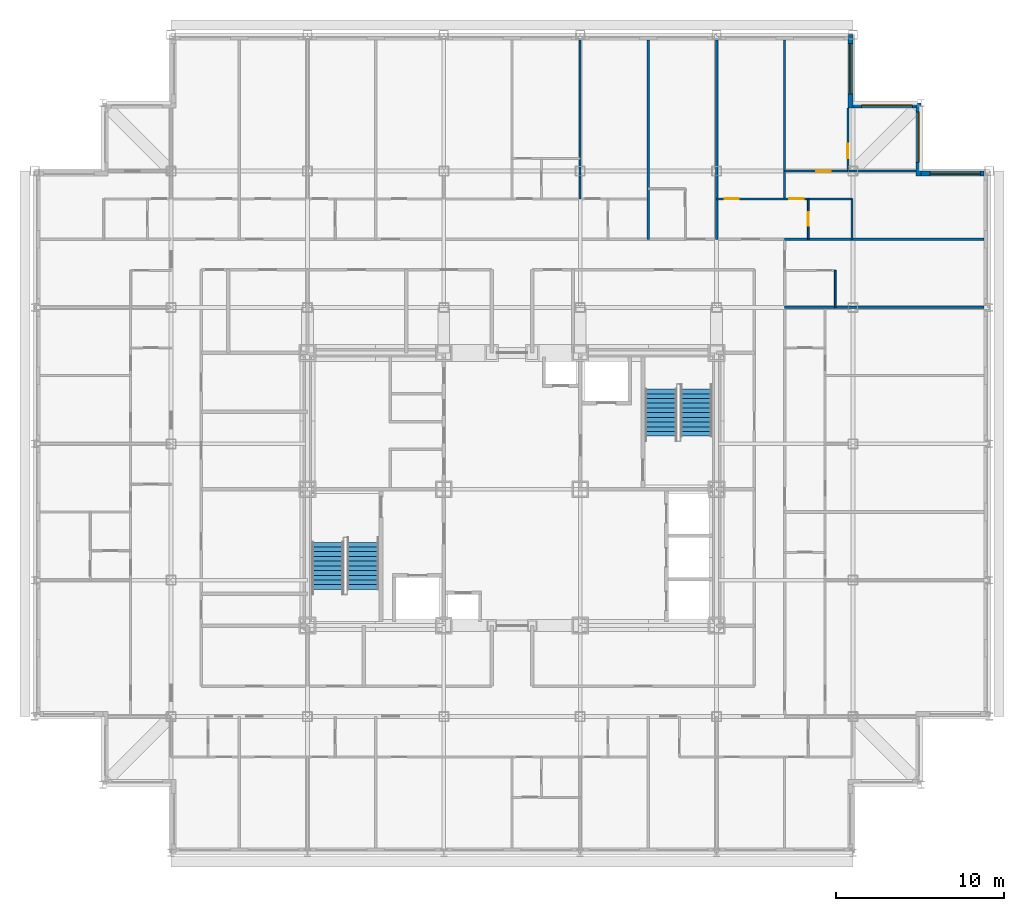
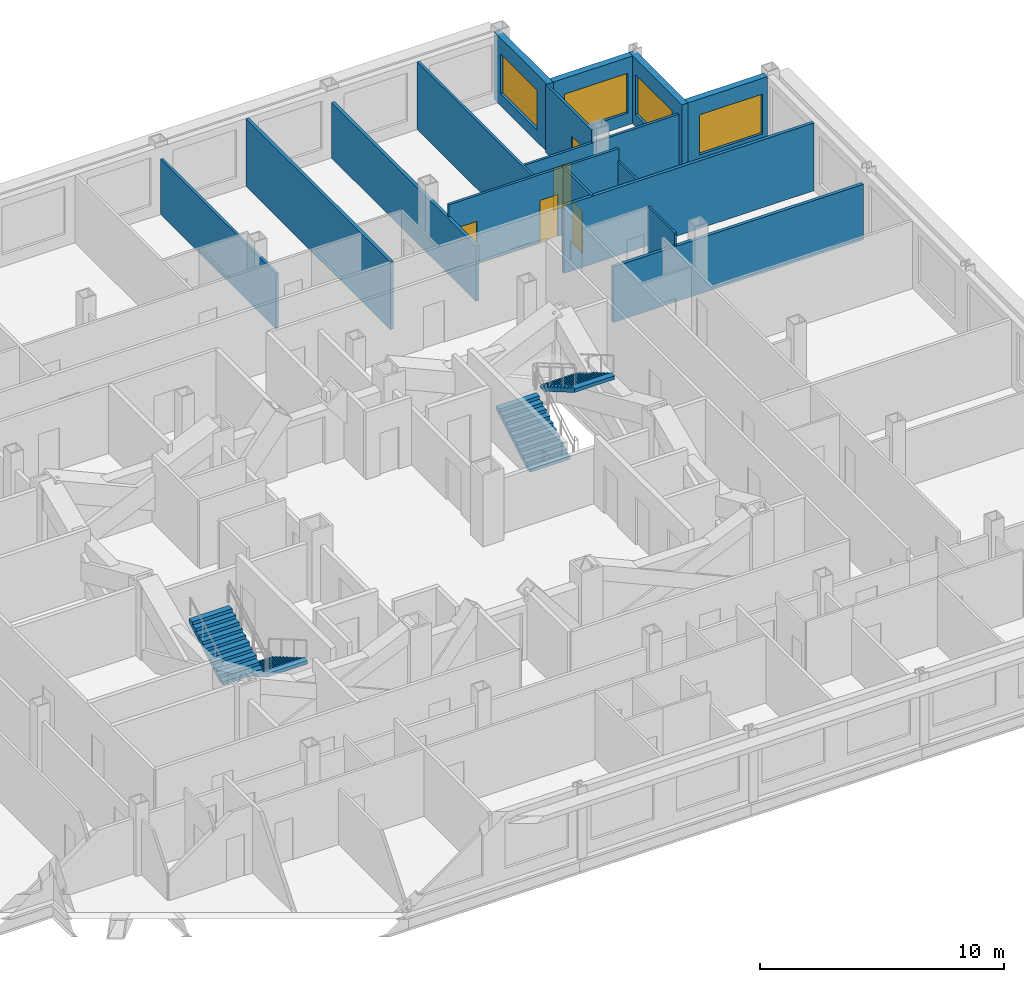
# One storey, part 11 of 12: 16 walls, 5 doors, 4 stair flights, 4 windows, 9 openings, 2 elements without a shape of their own.
"""IFC4 building model written with IfcOpenShell, lengths in metres."""

from ifc_helpers import new_model, si_unit, direction, frame, frame_2d, origin, place, context, subcontext, project, spatial, rectangle, extrude, polygons, source, transform, mapped, material, layer, layer_set, type_object, element, fill, aggregate, save


model = new_model("IFC4")

# Units and contexts
model_context = context("Model", 3, precision=1e-05, world=origin(), true_north=direction((0.0, 1.0)))
body_context = subcontext(model_context, "Body", "Model", "MODEL_VIEW")
ifc_project = project(units=[si_unit("LENGTHUNIT", "METRE"), si_unit("AREAUNIT", "SQUARE_METRE"), si_unit("VOLUMEUNIT", "CUBIC_METRE"), si_unit("PLANEANGLEUNIT", "RADIAN"), si_unit("MASSUNIT", "GRAM", prefix="KILO")], contexts=[model_context])

# Site, building, storey
site_placement = place(None, origin())
site = spatial("IfcSite", under=ifc_project, at=site_placement, CompositionType="ELEMENT")
building_placement = place(site_placement, origin())
building = spatial("IfcBuilding", under=site, at=building_placement, Name="Kopane Lantern Tower", CompositionType="ELEMENT")
storey_placement = place(building_placement, frame((0.0, 0.0, 202.800048828125)))
storey = spatial("IfcBuildingStorey", under=building, at=storey_placement, Name="L52", CompositionType="ELEMENT", Elevation=202.800048828125)

# Wall
ifc_material_1 = material(Name="Gypsum board on steel studs", Category="steel")
ifc_layer_1 = layer(ifc_material_1, 0.1201171875)
ifc_layer_set_1 = layer_set([ifc_layer_1], Name="APARTMENT INTERNAL WALL 120")
wall_type_1 = type_object("IfcWallType", Name="APARTMENT INTERNAL WALL 120", PredefinedType="PARTITIONING", material=ifc_layer_set_1)
wall_1_placement = place(storey_placement, frame((32.39990234375, 49.64990234375, 0.0), z_axis=(0.0, 0.0, 1.0), x_axis=(0.0, 1.0, 0.0)))
element("IfcWall", 1, at=wall_1_placement, inside=storey, type_object=wall_type_1, Name="Apartment Internal Wall 120 L52", PredefinedType="PARTITIONING", context=body_context, shape_type="SweptSolid", body=[
    extrude(rectangle(XDim=9.4501953125, YDim=0.1201171875, at=frame_2d((4.72509765625, 0.0))), origin(), (0.0, 0.0, 1.0), 2.77783203125),
])

# Wall, openings, doors
wall_2_placement = place(storey_placement, frame((40.5, 49.64990234375, 0.0), z_axis=(0.0, 0.0, 1.0), x_axis=(1.0, 0.0, 0.0)))
wall_2 = element("IfcWall", 2, at=wall_2_placement, inside=storey, type_object=wall_type_1, Name="Apartment Internal Wall 120 L52", PredefinedType="PARTITIONING", context=body_context, shape_type="SweptSolid", body=[
    extrude(rectangle(XDim=8.050048828125, YDim=0.1201171875, at=frame_2d((4.02490234375, 0.0))), origin(), (0.0, 0.0, 1.0), 3.389892578125),
])
opening_1_placement = place(wall_2_placement, frame((0.47509765625, 0.0, 0.0)))
opening_1 = element("IfcOpeningElement", 3, at=opening_1_placement, cuts=wall_2, Name="Opening L52-071", PredefinedType="OPENING", context=body_context, shape_type="SweptSolid", body=[
    extrude(rectangle(XDim=0.85009765625, YDim=2.10009765625, at=frame_2d((0.425048828125, 1.050048828125))), frame((0.0, 0.070068359375, 0.0), z_axis=(0.0, -1.0, 0.0), x_axis=(1.0, 0.0, 0.0)), (0.0, 0.0, 1.0), 0.14013671875),
])
opening_2_placement = place(wall_2_placement, frame((4.324951171875, 0.0, 0.0)))
opening_2 = element("IfcOpeningElement", 4, at=opening_2_placement, cuts=wall_2, Name="Opening L52-073", PredefinedType="OPENING", context=body_context, shape_type="SweptSolid", body=[
    extrude(rectangle(XDim=0.85009765625, YDim=2.10009765625, at=frame_2d((0.425048828125, 1.050048828125))), frame((0.0, 0.070068359375, 0.0), z_axis=(0.0, -1.0, 0.0), x_axis=(1.0, 0.0, 0.0)), (0.0, 0.0, 1.0), 0.14013671875),
])
ifc_material_2 = material(Name="Timber door set", Category="wood")
door_type_1 = type_object("IfcDoorType", Name="DOOR D4 850x2100", OperationType="SINGLE_SWING_LEFT", PredefinedType="DOOR", material=ifc_material_2)
door_1_placement = place(opening_1_placement, origin())
door_1 = element("IfcDoor", 5, at=door_1_placement, inside=storey, type_object=door_type_1, Name="Door L52-071", OperationType="SINGLE_SWING_RIGHT", OverallHeight=2.10009765625, OverallWidth=0.85009765625, PredefinedType="DOOR", context=body_context, shape_type="SweptSolid", body=[
    extrude(rectangle(XDim=0.85009765625, YDim=2.10009765625, at=frame_2d((0.425048828125, 1.050048828125))), frame((0.0, 0.02490234375, 0.0), z_axis=(0.0, -1.0, 0.0), x_axis=(1.0, 0.0, 0.0)), (0.0, 0.0, 1.0), 0.050048828125),
])
fill(opening_1, door_1)
door_2_placement = place(opening_2_placement, origin())
door_2 = element("IfcDoor", 6, at=door_2_placement, inside=storey, type_object=door_type_1, Name="Door L52-073", OperationType="SINGLE_SWING_LEFT", OverallHeight=2.10009765625, OverallWidth=0.85009765625, PredefinedType="DOOR", context=body_context, shape_type="SweptSolid", body=[
    extrude(rectangle(XDim=0.85009765625, YDim=2.10009765625, at=frame_2d((0.425048828125, 1.050048828125))), frame((0.0, 0.02490234375, 0.0), z_axis=(0.0, -1.0, 0.0), x_axis=(1.0, 0.0, 0.0)), (0.0, 0.0, 1.0), 0.050048828125),
])
fill(opening_2, door_2)

# Wall
wall_3_placement = place(storey_placement, frame((44.550048828125, 49.64990234375, 0.0), z_axis=(0.0, 0.0, 1.0), x_axis=(0.0, 1.0, 0.0)))
element("IfcWall", 7, at=wall_3_placement, inside=storey, type_object=wall_type_1, Name="Apartment Internal Wall 120 L52", PredefinedType="PARTITIONING", context=body_context, shape_type="SweptSolid", body=[
    extrude(rectangle(XDim=9.4501953125, YDim=0.1201171875, at=frame_2d((4.72509765625, 0.0))), origin(), (0.0, 0.0, 1.0), 3.389892578125),
])

# Wall, opening, door
wall_4_placement = place(storey_placement, frame((44.550048828125, 51.300048828125, 0.0), z_axis=(0.0, 0.0, 1.0), x_axis=(1.0, 0.0, 0.0)))
wall_4 = element("IfcWall", 8, at=wall_4_placement, inside=storey, type_object=wall_type_1, Name="Apartment Internal Wall 120 L52", PredefinedType="PARTITIONING", context=body_context, shape_type="SweptSolid", body=[
    extrude(rectangle(XDim=7.800048828125, YDim=0.1201171875, at=frame_2d((3.89990234375, 0.0))), origin(), (0.0, 0.0, 1.0), 2.77783203125),
])
opening_3_placement = place(wall_4_placement, frame((1.875, 0.0, 0.0)))
opening_3 = element("IfcOpeningElement", 9, at=opening_3_placement, cuts=wall_4, Name="Opening L52-074", PredefinedType="OPENING", context=body_context, shape_type="SweptSolid", body=[
    extrude(rectangle(XDim=0.85009765625, YDim=2.10009765625, at=frame_2d((0.425048828125, 1.050048828125))), frame((0.0, 0.070068359375, 0.0), z_axis=(0.0, -1.0, 0.0), x_axis=(1.0, 0.0, 0.0)), (0.0, 0.0, 1.0), 0.14013671875),
])
door_3_placement = place(opening_3_placement, origin())
door_3 = element("IfcDoor", 10, at=door_3_placement, inside=storey, type_object=door_type_1, Name="Door L52-074", OperationType="SINGLE_SWING_RIGHT", OverallHeight=2.10009765625, OverallWidth=0.85009765625, PredefinedType="DOOR", context=body_context, shape_type="SweptSolid", body=[
    extrude(rectangle(XDim=0.85009765625, YDim=2.10009765625, at=frame_2d((0.425048828125, 1.050048828125))), frame((0.0, 0.02490234375, 0.0), z_axis=(0.0, -1.0, 0.0), x_axis=(1.0, 0.0, 0.0)), (0.0, 0.0, 1.0), 0.050048828125),
])
fill(opening_3, door_3)

wall_5_placement = place(storey_placement, frame((48.300048828125, 51.300048828125, 0.0), z_axis=(0.0, 0.0, 1.0), x_axis=(0.0, 1.0, 0.0)))
wall_5 = element("IfcWall", 11, at=wall_5_placement, inside=storey, type_object=wall_type_1, Name="Apartment Internal Wall 120 L52", PredefinedType="PARTITIONING", context=body_context, shape_type="SweptSolid", body=[
    extrude(rectangle(XDim=3.75, YDim=0.1201171875, at=frame_2d((1.875, 0.0))), origin(), (0.0, 0.0, 1.0), 3.389892578125),
])
opening_4_placement = place(wall_5_placement, frame((0.77490234375, 0.0, 0.0)))
opening_4 = element("IfcOpeningElement", 12, at=opening_4_placement, cuts=wall_5, Name="Opening L52-083", PredefinedType="OPENING", context=body_context, shape_type="SweptSolid", body=[
    extrude(rectangle(XDim=0.85009765625, YDim=2.10009765625, at=frame_2d((0.425048828125, 1.050048828125))), frame((0.0, 0.070068359375, 0.0), z_axis=(0.0, -1.0, 0.0), x_axis=(1.0, 0.0, 0.0)), (0.0, 0.0, 1.0), 0.14013671875),
])
door_4_placement = place(opening_4_placement, origin())
door_4 = element("IfcDoor", 13, at=door_4_placement, inside=storey, type_object=door_type_1, Name="Door L52-083", OperationType="SINGLE_SWING_RIGHT", OverallHeight=2.10009765625, OverallWidth=0.85009765625, PredefinedType="DOOR", context=body_context, shape_type="SweptSolid", body=[
    extrude(rectangle(XDim=0.85009765625, YDim=2.10009765625, at=frame_2d((0.425048828125, 1.050048828125))), frame((0.0, 0.02490234375, 0.0), z_axis=(0.0, -1.0, 0.0), x_axis=(1.0, 0.0, 0.0)), (0.0, 0.0, 1.0), 0.050048828125),
])
fill(opening_4, door_4)

# Wall
ifc_material_3 = material(Name="Moisture-resistant board on steel studs", Category="steel")
ifc_layer_2 = layer(ifc_material_3, 0.10009765625)
ifc_layer_set_2 = layer_set([ifc_layer_2], Name="BATHROOM WALL 100")
wall_type_2 = type_object("IfcWallType", Name="BATHROOM WALL 100", PredefinedType="PARTITIONING", material=ifc_layer_set_2)
wall_6_placement = place(storey_placement, frame((47.550048828125, 43.199951171875, 0.0), z_axis=(0.0, 0.0, 1.0), x_axis=(0.0, 1.0, 0.0)))
element("IfcWall", 14, at=wall_6_placement, inside=storey, type_object=wall_type_2, Name="Bathroom Wall 100 L52", PredefinedType="PARTITIONING", context=body_context, shape_type="SweptSolid", body=[
    extrude(rectangle(XDim=2.199951171875, YDim=0.10009765625, at=frame_2d((1.10009765625, 0.0))), origin(), (0.0, 0.0, 1.0), 3.389892578125),
])

# Wall, opening, door
wall_7_placement = place(storey_placement, frame((45.949951171875, 47.25, 0.0), z_axis=(0.0, 0.0, 1.0), x_axis=(0.0, 1.0, 0.0)))
wall_7 = element("IfcWall", 15, at=wall_7_placement, inside=storey, type_object=wall_type_2, Name="Bathroom Wall 100 L52", PredefinedType="PARTITIONING", context=body_context, shape_type="SweptSolid", body=[
    extrude(rectangle(XDim=2.39990234375, YDim=0.10009765625, at=frame_2d((1.199951171875, 0.0))), origin(), (0.0, 0.0, 1.0), 3.389892578125),
])
opening_5_placement = place(wall_7_placement, frame((0.800048828125, 0.0, 0.0)))
opening_5 = element("IfcOpeningElement", 16, at=opening_5_placement, cuts=wall_7, Name="Opening L52-072", PredefinedType="OPENING", context=body_context, shape_type="SweptSolid", body=[
    extrude(rectangle(XDim=0.800048828125, YDim=2.10009765625, at=frame_2d((0.39990234375, 1.050048828125))), frame((0.0, 0.06005859375, 0.0), z_axis=(0.0, -1.0, 0.0), x_axis=(1.0, 0.0, 0.0)), (0.0, 0.0, 1.0), 0.1201171875),
])
ifc_material_4 = material(Name="Timber door set", Category="wood")
door_type_2 = type_object("IfcDoorType", Name="DOOR D2 800x2100", OperationType="SINGLE_SWING_LEFT", PredefinedType="DOOR", material=ifc_material_4)
door_5_placement = place(opening_5_placement, origin())
door_5 = element("IfcDoor", 17, at=door_5_placement, inside=storey, type_object=door_type_2, Name="Door L52-072", OperationType="SINGLE_SWING_RIGHT", OverallHeight=2.10009765625, OverallWidth=0.800048828125, PredefinedType="DOOR", context=body_context, shape_type="SweptSolid", body=[
    extrude(rectangle(XDim=0.800048828125, YDim=2.10009765625, at=frame_2d((0.39990234375, 1.050048828125))), frame((0.0, 0.02490234375, 0.0), z_axis=(0.0, -1.0, 0.0), x_axis=(1.0, 0.0, 0.0)), (0.0, 0.0, 1.0), 0.050048828125),
])
fill(opening_5, door_5)

# Walls
wall_8_placement = place(storey_placement, frame((48.550048828125, 47.25, 0.0), z_axis=(0.0, 0.0, 1.0), x_axis=(0.0, 1.0, 0.0)))
element("IfcWall", 18, at=wall_8_placement, inside=storey, type_object=wall_type_2, Name="Bathroom Wall 100 L52", PredefinedType="PARTITIONING", context=body_context, shape_type="SweptSolid", body=[
    extrude(rectangle(XDim=2.39990234375, YDim=0.10009765625, at=frame_2d((1.199951171875, 0.0))), origin(), (0.0, 0.0, 1.0), 2.77783203125),
])
ifc_material_5 = material(Name="Gypsum board on steel studs", Category="steel")
ifc_layer_3 = layer(ifc_material_5, 0.14990234375)
ifc_layer_set_3 = layer_set([ifc_layer_3], Name="DEMISING WALL 150 EI 60")
wall_type_3 = type_object("IfcWallType", Name="DEMISING WALL 150 EI 60", PredefinedType="PARTITIONING", material=ifc_layer_set_3)
wall_9_placement = place(storey_placement, frame((36.449951171875, 47.25, 0.0), z_axis=(0.0, 0.0, 1.0), x_axis=(0.0, 1.0, 0.0)))
element("IfcWall", 19, at=wall_9_placement, inside=storey, type_object=wall_type_3, Name="Demising Wall 150 Ei 60 L52", PredefinedType="PARTITIONING", context=body_context, shape_type="SweptSolid", body=[
    extrude(rectangle(XDim=11.85009765625, YDim=0.14990234375, at=frame_2d((5.925048828125, 0.0))), origin(), (0.0, 0.0, 1.0), 3.389892578125),
])
wall_10_placement = place(storey_placement, frame((44.550048828125, 43.199951171875, 0.0), z_axis=(0.0, 0.0, 1.0), x_axis=(1.0, 0.0, 0.0)))
element("IfcWall", 20, at=wall_10_placement, inside=storey, type_object=wall_type_3, Name="Demising Wall 150 Ei 60 L52", PredefinedType="PARTITIONING", context=body_context, shape_type="SweptSolid", body=[
    extrude(rectangle(XDim=11.849853515625, YDim=0.14990234375, at=frame_2d((5.9248046875, 0.0))), origin(), (0.0, 0.0, 1.0), 2.77783203125),
])
wall_11_placement = place(storey_placement, frame((44.550048828125, 47.25, 0.0), z_axis=(0.0, 0.0, 1.0), x_axis=(1.0, 0.0, 0.0)))
element("IfcWall", 21, at=wall_11_placement, inside=storey, type_object=wall_type_3, Name="Demising Wall 150 Ei 60 L52", PredefinedType="PARTITIONING", context=body_context, shape_type="SweptSolid", body=[
    extrude(rectangle(XDim=11.849853515625, YDim=0.14990234375, at=frame_2d((5.9248046875, 0.0))), origin(), (0.0, 0.0, 1.0), 3.389892578125),
])
wall_12_placement = place(storey_placement, frame((40.5, 47.25, 0.0), z_axis=(0.0, 0.0, 1.0), x_axis=(0.0, 1.0, 0.0)))
element("IfcWall", 22, at=wall_12_placement, inside=storey, type_object=wall_type_3, Name="Demising Wall 150 Ei 60 L52", PredefinedType="PARTITIONING", context=body_context, shape_type="SweptSolid", body=[
    extrude(rectangle(XDim=11.85009765625, YDim=0.14990234375, at=frame_2d((5.925048828125, 0.0))), origin(), (0.0, 0.0, 1.0), 2.77783203125),
])

# Wall, opening, window
ifc_material_6 = material(Name="Terracotta rainscreen on light steel framing", Category="masonry")
ifc_layer_4 = layer(ifc_material_6, 0.300048828125)
ifc_layer_set_4 = layer_set([ifc_layer_4], Name="EXTERNAL WALL EW1 300 TERRACOTTA")
wall_type_4 = type_object("IfcWallType", Name="EXTERNAL WALL EW1 300 TERRACOTTA", PredefinedType="SOLIDWALL", material=ifc_layer_set_4)
wall_13_placement = place(storey_placement, frame((56.39990234375, 51.14990234375, 0.0), z_axis=(0.0, 0.0, 1.0), x_axis=(-1.0, 0.0, 0.0)))
wall_13 = element("IfcWall", 23, at=wall_13_placement, inside=storey, type_object=wall_type_4, Name="External wall N L52", PredefinedType="SOLIDWALL", context=body_context, shape_type="SweptSolid", body=[
    extrude(rectangle(XDim=3.75, YDim=0.300048828125, at=frame_2d((1.875, 0.0))), origin(), (0.0, 0.0, 1.0), 3.389892578125),
])
opening_6_placement = place(wall_13_placement, frame((0.22509765625, 0.0, 0.60009765625)))
opening_6 = element("IfcOpeningElement", 24, at=opening_6_placement, cuts=wall_13, Name="Opening WR300200", PredefinedType="OPENING", context=body_context, shape_type="SweptSolid", body=[
    extrude(rectangle(XDim=3.0, YDim=2.0, at=frame_2d((1.5, 1.0))), frame((0.0, 0.159912109375, 0.0), z_axis=(0.0, -1.0, 0.0), x_axis=(1.0, 0.0, 0.0)), (0.0, 0.0, 1.0), 0.320068359375),
])
ifc_material_7 = material(Name="Aluminium and clear glass", Category="aluminium")
window_type = type_object("IfcWindowType", Name="RIBBON WINDOW WR300200 3000x2000", PartitioningType="SINGLE_PANEL", PredefinedType="WINDOW", material=ifc_material_7)
window_1_placement = place(opening_6_placement, origin())
window_1 = element("IfcWindow", 25, at=window_1_placement, inside=storey, type_object=window_type, Name="Window N L52", OverallHeight=2.0, OverallWidth=3.0, PartitioningType="SINGLE_PANEL", PredefinedType="WINDOW", context=body_context, shape_type="SweptSolid", body=[
    extrude(rectangle(XDim=3.0, YDim=2.0, at=frame_2d((1.5, 1.0))), frame((0.0, 0.030029296875, 0.0), z_axis=(0.0, -1.0, 0.0), x_axis=(1.0, 0.0, 0.0)), (0.0, 0.0, 1.0), 0.06005859375),
])
fill(opening_6, window_1)

wall_14_placement = place(storey_placement, frame((52.5, 51.0, 0.0), z_axis=(0.0, 0.0, 1.0), x_axis=(0.0, 1.0, 0.0)))
wall_14 = element("IfcWall", 26, at=wall_14_placement, inside=storey, type_object=wall_type_4, Name="External wall E L52", PredefinedType="SOLIDWALL", context=body_context, shape_type="SweptSolid", body=[
    extrude(rectangle(XDim=4.35009765625, YDim=0.300048828125, at=frame_2d((2.175048828125, 0.0))), origin(), (0.0, 0.0, 1.0), 3.389892578125),
])
opening_7_placement = place(wall_14_placement, frame((0.824951171875, 0.0, 0.60009765625)))
opening_7 = element("IfcOpeningElement", 27, at=opening_7_placement, cuts=wall_14, Name="Opening WR300200", PredefinedType="OPENING", context=body_context, shape_type="SweptSolid", body=[
    extrude(rectangle(XDim=3.0, YDim=2.0, at=frame_2d((1.5, 1.0))), frame((0.0, 0.159912109375, 0.0), z_axis=(0.0, -1.0, 0.0), x_axis=(1.0, 0.0, 0.0)), (0.0, 0.0, 1.0), 0.320068359375),
])
window_2_placement = place(opening_7_placement, origin())
window_2 = element("IfcWindow", 28, at=window_2_placement, inside=storey, type_object=window_type, Name="Window E L52", OverallHeight=2.0, OverallWidth=3.0, PartitioningType="SINGLE_PANEL", PredefinedType="WINDOW", context=body_context, shape_type="SweptSolid", body=[
    extrude(rectangle(XDim=3.0, YDim=2.0, at=frame_2d((1.5, 1.0))), frame((0.0, 0.030029296875, 0.0), z_axis=(0.0, -1.0, 0.0), x_axis=(1.0, 0.0, 0.0)), (0.0, 0.0, 1.0), 0.06005859375),
])
fill(opening_7, window_2)

wall_15_placement = place(storey_placement, frame((52.35009765625, 55.199951171875, 0.0), z_axis=(0.0, 0.0, 1.0), x_axis=(-1.0, 0.0, 0.0)))
wall_15 = element("IfcWall", 29, at=wall_15_placement, inside=storey, type_object=wall_type_4, Name="External wall N L52", PredefinedType="SOLIDWALL", context=body_context, shape_type="SweptSolid", body=[
    extrude(rectangle(XDim=3.75, YDim=0.300048828125, at=frame_2d((1.875, 0.0))), origin(), (0.0, 0.0, 1.0), 3.389892578125),
])
opening_8_placement = place(wall_15_placement, frame((0.22509765625, 0.0, 0.60009765625)))
opening_8 = element("IfcOpeningElement", 30, at=opening_8_placement, cuts=wall_15, Name="Opening WR300200", PredefinedType="OPENING", context=body_context, shape_type="SweptSolid", body=[
    extrude(rectangle(XDim=3.0, YDim=2.0, at=frame_2d((1.5, 1.0))), frame((0.0, 0.159912109375, 0.0), z_axis=(0.0, -1.0, 0.0), x_axis=(1.0, 0.0, 0.0)), (0.0, 0.0, 1.0), 0.320068359375),
])
window_3_placement = place(opening_8_placement, origin())
window_3 = element("IfcWindow", 31, at=window_3_placement, inside=storey, type_object=window_type, Name="Window N L52", OverallHeight=2.0, OverallWidth=3.0, PartitioningType="SINGLE_PANEL", PredefinedType="WINDOW", context=body_context, shape_type="SweptSolid", body=[
    extrude(rectangle(XDim=3.0, YDim=2.0, at=frame_2d((1.5, 1.0))), frame((0.0, 0.030029296875, 0.0), z_axis=(0.0, -1.0, 0.0), x_axis=(1.0, 0.0, 0.0)), (0.0, 0.0, 1.0), 0.06005859375),
])
fill(opening_8, window_3)

wall_16_placement = place(storey_placement, frame((48.449951171875, 55.050048828125, 0.0), z_axis=(0.0, 0.0, 1.0), x_axis=(0.0, 1.0, 0.0)))
wall_16 = element("IfcWall", 32, at=wall_16_placement, inside=storey, type_object=wall_type_4, Name="External wall E L52", PredefinedType="SOLIDWALL", context=body_context, shape_type="SweptSolid", body=[
    extrude(rectangle(XDim=4.349853515625, YDim=0.300048828125, at=frame_2d((2.1748046875, 0.0))), origin(), (0.0, 0.0, 1.0), 3.389892578125),
])
opening_9_placement = place(wall_16_placement, frame((0.824951171875, 0.0, 0.60009765625)))
opening_9 = element("IfcOpeningElement", 33, at=opening_9_placement, cuts=wall_16, Name="Opening WR300200", PredefinedType="OPENING", context=body_context, shape_type="SweptSolid", body=[
    extrude(rectangle(XDim=3.0, YDim=2.0, at=frame_2d((1.5, 1.0))), frame((0.0, 0.159912109375, 0.0), z_axis=(0.0, -1.0, 0.0), x_axis=(1.0, 0.0, 0.0)), (0.0, 0.0, 1.0), 0.320068359375),
])
window_4_placement = place(opening_9_placement, origin())
window_4 = element("IfcWindow", 34, at=window_4_placement, inside=storey, type_object=window_type, Name="Window E L52", OverallHeight=2.0, OverallWidth=3.0, PartitioningType="SINGLE_PANEL", PredefinedType="WINDOW", context=body_context, shape_type="SweptSolid", body=[
    extrude(rectangle(XDim=3.0, YDim=2.0, at=frame_2d((1.5, 1.0))), frame((0.0, 0.030029296875, 0.0), z_axis=(0.0, -1.0, 0.0), x_axis=(1.0, 0.0, 0.0)), (0.0, 0.0, 1.0), 0.06005859375),
])
fill(opening_9, window_4)

# Stair, stair flights
ifc_material_8 = material(Name="Steel S355JR", Category="steel")
stair_type = type_object("IfcStairType", Name="EXIT STAIR 1900 HALF TURN", PredefinedType="HALF_TURN_STAIR", material=ifc_material_8)
stair_1_placement = place(storey_placement, origin())
stair_1 = element("IfcStair", 35, at=stair_1_placement, inside=storey, type_object=stair_type, Name="Exit stair ST1 L52", PredefinedType="HALF_TURN_STAIR")
ifc_material_9 = material(Name="Steel S355JR", Category="steel")
stair_flight_type = type_object("IfcStairFlightType", Name="STAIR FLIGHT 1900 STEEL", PredefinedType="STRAIGHT", material=ifc_material_9)
shared_shape = source(origin(), body_context, "Body", "Tessellation", [
    polygons([(2.800048828, 0.949951172, 1.636474609), (2.520019531, 0.949951172, 1.636474609), (2.520019531, -0.949951172, 1.636474609), (2.800048828, -0.949951172, 1.636474609), (0.297119141, 0.949951172, 0.0), (2.800048828, 0.949951172, 1.462646484), (2.800048828, -0.949951172, 1.462646484), (0.297119141, -0.949951172, 0.0), (0.0, 0.949951172, 0.0), (0.0, -0.949951172, 0.0), (0.280029297, 0.949951172, 0.163574219), (0.0, 0.949951172, 0.163574219), (0.0, -0.949951172, 0.163574219), (0.280029297, -0.949951172, 0.163574219), (0.280029297, 0.949951172, 0.327392578), (0.280029297, -0.949951172, 0.327392578), (0.560058594, 0.949951172, 0.327392578), (0.560058594, -0.949951172, 0.327392578), (0.560058594, 0.949951172, 0.490966797), (0.560058594, -0.949951172, 0.490966797), (0.840087891, 0.949951172, 0.490966797), (0.840087891, -0.949951172, 0.490966797), (0.840087891, 0.949951172, 0.654541016), (0.840087891, -0.949951172, 0.654541016), (1.120117188, 0.949951172, 0.654541016), (1.120117188, -0.949951172, 0.654541016), (1.120117188, 0.949951172, 0.818115234), (1.120117188, -0.949951172, 0.818115234), (1.399902344, 0.949951172, 0.818115234), (1.399902344, -0.949951172, 0.818115234), (1.399902344, 0.949951172, 0.981933594), (1.399902344, -0.949951172, 0.981933594), (1.679931641, 0.949951172, 0.981933594), (1.679931641, -0.949951172, 0.981933594), (1.679931641, 0.949951172, 1.145507812), (1.679931641, -0.949951172, 1.145507812), (1.959960938, 0.949951172, 1.145507812), (1.959960938, -0.949951172, 1.145507812), (1.959960938, 0.949951172, 1.309082031), (1.959960938, -0.949951172, 1.309082031), (2.239990234, 0.949951172, 1.309082031), (2.239990234, -0.949951172, 1.309082031), (2.239990234, 0.949951172, 1.47265625), (2.239990234, -0.949951172, 1.47265625), (2.520019531, 0.949951172, 1.47265625), (2.520019531, -0.949951172, 1.47265625), (0.0, 0.0, 0.004420925), (0.0, 0.0, 0.00884185), (0.0, 0.0, 0.013262774), (0.0, 0.0, 0.017683699), (0.0, 0.0, 0.022104624), (0.0, 0.0, 0.026525549), (0.0, 0.0, 0.030946474), (0.0, 0.0, 0.035367399), (0.0, 0.0, 0.039788323), (0.0, 0.0, 0.044209248), (0.0, 0.0, 0.048630173), (0.0, 0.0, 0.053051098), (0.0, 0.0, 0.057472023), (0.0, 0.0, 0.061892948), (0.0, 0.0, 0.066313872), (0.0, 0.0, 0.070734797), (0.0, 0.0, 0.075155722), (0.0, 0.0, 0.079576647), (0.0, 0.0, 0.083997572), (0.0, 0.0, 0.088418497), (0.0, 0.0, 0.092839421), (0.0, 0.0, 0.097260346), (0.0, 0.0, 0.101681271), (0.0, 0.0, 0.106102196), (0.0, 0.0, 0.110523121), (0.0, 0.0, 0.114944046), (0.0, 0.0, 0.11936497), (0.0, 0.0, 0.123785895), (0.0, 0.0, 0.12820682), (0.0, 0.0, 0.132627745), (0.0, 0.0, 0.13704867), (0.0, 0.0, 0.141469595), (0.0, 0.0, 0.145890519), (0.0, 0.0, 0.150311444), (0.0, 0.0, 0.154732369), (0.0, 0.0, 0.159153294), (2.800048828, 0.0, 1.467344542), (2.800048828, 0.0, 1.472042599), (2.800048828, 0.0, 1.476740657), (2.800048828, 0.0, 1.481438714), (2.800048828, 0.0, 1.486136772), (2.800048828, 0.0, 1.490834829), (2.800048828, 0.0, 1.495532886), (2.800048828, 0.0, 1.500230944), (2.800048828, 0.0, 1.504929001), (2.800048828, 0.0, 1.509627059), (2.800048828, 0.0, 1.514325116), (2.800048828, 0.0, 1.519023174), (2.800048828, 0.0, 1.523721231), (2.800048828, 0.0, 1.528419288), (2.800048828, 0.0, 1.533117346), (2.800048828, 0.0, 1.537815403), (2.800048828, 0.0, 1.542513461), (2.800048828, 0.0, 1.547211518), (2.800048828, 0.0, 1.551909576), (2.800048828, 0.0, 1.556607633), (2.800048828, 0.0, 1.56130569), (2.800048828, 0.0, 1.566003748), (2.800048828, 0.0, 1.570701805), (2.800048828, 0.0, 1.575399863), (2.800048828, 0.0, 1.58009792), (2.800048828, 0.0, 1.584795978), (2.800048828, 0.0, 1.589494035), (2.800048828, 0.0, 1.594192092), (2.800048828, 0.0, 1.59889015), (2.800048828, 0.0, 1.603588207), (2.800048828, 0.0, 1.608286265), (2.800048828, 0.0, 1.612984322), (2.800048828, 0.0, 1.61768238), (2.800048828, 0.0, 1.622380437), (2.800048828, 0.0, 1.627078495), (2.800048828, 0.0, 1.631776552)], [[[1, 2, 3]], [[1, 3, 4]], [[5, 6, 7]], [[5, 7, 8]], [[9, 5, 8]], [[9, 8, 10]], [[11, 12, 13]], [[11, 13, 14]], [[15, 11, 14]], [[15, 14, 16]], [[17, 15, 16]], [[17, 16, 18]], [[19, 17, 18]], [[19, 18, 20]], [[21, 19, 20]], [[21, 20, 22]], [[23, 21, 22]], [[23, 22, 24]], [[25, 23, 24]], [[25, 24, 26]], [[27, 25, 26]], [[27, 26, 28]], [[29, 27, 28]], [[29, 28, 30]], [[31, 29, 30]], [[31, 30, 32]], [[33, 31, 32]], [[33, 32, 34]], [[35, 33, 34]], [[35, 34, 36]], [[37, 35, 36]], [[37, 36, 38]], [[39, 37, 38]], [[39, 38, 40]], [[41, 39, 40]], [[41, 40, 42]], [[43, 41, 42]], [[43, 42, 44]], [[45, 43, 44]], [[45, 44, 46]], [[2, 45, 46]], [[2, 46, 3]], [[45, 1, 6]], [[41, 45, 6]], [[2, 1, 45]], [[37, 41, 6]], [[43, 45, 41]], [[39, 41, 37]], [[35, 37, 33]], [[31, 33, 29]], [[27, 29, 25]], [[5, 21, 25]], [[17, 21, 5]], [[23, 25, 21]], [[11, 17, 5]], [[19, 21, 17]], [[9, 11, 5]], [[15, 17, 11]], [[12, 11, 9]], [[6, 5, 25]], [[6, 25, 29]], [[6, 29, 33]], [[6, 33, 37]], [[7, 4, 46]], [[7, 46, 42]], [[46, 4, 3]], [[7, 42, 38]], [[42, 46, 44]], [[38, 42, 40]], [[34, 38, 36]], [[30, 34, 32]], [[26, 30, 28]], [[26, 22, 8]], [[8, 22, 18]], [[22, 26, 24]], [[8, 18, 14]], [[18, 22, 20]], [[8, 14, 10]], [[14, 18, 16]], [[10, 14, 13]], [[26, 8, 7]], [[30, 26, 7]], [[34, 30, 7]], [[38, 34, 7]], [[10, 47, 9]], [[10, 48, 47]], [[9, 47, 48]], [[10, 49, 48]], [[9, 48, 49]], [[10, 50, 49]], [[9, 49, 50]], [[10, 51, 50]], [[9, 50, 51]], [[10, 52, 51]], [[9, 51, 52]], [[10, 53, 52]], [[9, 52, 53]], [[10, 54, 53]], [[9, 53, 54]], [[10, 55, 54]], [[9, 54, 55]], [[10, 56, 55]], [[9, 55, 56]], [[10, 57, 56]], [[9, 56, 57]], [[10, 58, 57]], [[9, 57, 58]], [[10, 59, 58]], [[9, 58, 59]], [[10, 60, 59]], [[9, 59, 60]], [[10, 61, 60]], [[9, 60, 61]], [[10, 62, 61]], [[9, 61, 62]], [[10, 63, 62]], [[9, 62, 63]], [[10, 64, 63]], [[9, 63, 64]], [[10, 65, 64]], [[9, 64, 65]], [[10, 66, 65]], [[9, 65, 66]], [[10, 67, 66]], [[9, 66, 67]], [[10, 68, 67]], [[9, 67, 68]], [[10, 69, 68]], [[9, 68, 69]], [[10, 70, 69]], [[9, 69, 70]], [[10, 71, 70]], [[9, 70, 71]], [[10, 72, 71]], [[9, 71, 72]], [[10, 73, 72]], [[9, 72, 73]], [[10, 74, 73]], [[9, 73, 74]], [[10, 75, 74]], [[9, 74, 75]], [[10, 76, 75]], [[9, 75, 76]], [[10, 77, 76]], [[9, 76, 77]], [[10, 78, 77]], [[9, 77, 78]], [[10, 79, 78]], [[9, 78, 79]], [[10, 80, 79]], [[9, 79, 80]], [[10, 81, 80]], [[9, 80, 81]], [[10, 82, 81]], [[9, 81, 82]], [[10, 13, 82]], [[82, 13, 12]], [[9, 82, 12]], [[7, 6, 83]], [[7, 83, 84]], [[6, 84, 83]], [[7, 84, 85]], [[6, 85, 84]], [[7, 85, 86]], [[6, 86, 85]], [[7, 86, 87]], [[6, 87, 86]], [[7, 87, 88]], [[6, 88, 87]], [[7, 88, 89]], [[6, 89, 88]], [[7, 89, 90]], [[6, 90, 89]], [[7, 90, 91]], [[6, 91, 90]], [[7, 91, 92]], [[6, 92, 91]], [[7, 92, 93]], [[6, 93, 92]], [[7, 93, 94]], [[6, 94, 93]], [[7, 94, 95]], [[6, 95, 94]], [[7, 95, 96]], [[6, 96, 95]], [[7, 96, 97]], [[6, 97, 96]], [[7, 97, 98]], [[6, 98, 97]], [[7, 98, 99]], [[6, 99, 98]], [[7, 99, 100]], [[6, 100, 99]], [[7, 100, 101]], [[6, 101, 100]], [[7, 101, 102]], [[6, 102, 101]], [[7, 102, 103]], [[6, 103, 102]], [[7, 103, 104]], [[6, 104, 103]], [[7, 104, 105]], [[6, 105, 104]], [[7, 105, 106]], [[6, 106, 105]], [[7, 106, 107]], [[6, 107, 106]], [[7, 107, 108]], [[6, 108, 107]], [[7, 108, 109]], [[6, 109, 108]], [[7, 109, 110]], [[6, 110, 109]], [[7, 110, 111]], [[6, 111, 110]], [[7, 111, 112]], [[6, 112, 111]], [[7, 112, 113]], [[6, 113, 112]], [[7, 113, 114]], [[6, 114, 113]], [[7, 114, 115]], [[6, 115, 114]], [[7, 115, 116]], [[6, 116, 115]], [[7, 116, 117]], [[6, 117, 116]], [[7, 117, 118]], [[6, 118, 117]], [[7, 118, 4]], [[118, 1, 4]], [[6, 1, 118]]], closed=True),
])
stair_flight_1_placement = place(storey_placement, frame((19.5, 29.25, 0.0), z_axis=(0.0, 0.0, 1.0), x_axis=(0.0, -1.0, 0.0)))
stair_flight_1 = element("IfcStairFlight", 36, at=stair_flight_1_placement, type_object=stair_flight_type, Name="ST1 flight 1", NumberOfRisers=11, NumberOfTreads=10, PredefinedType="STRAIGHT", RiserHeight=0.163636364, TreadLength=0.28, context=body_context, shape_type="MappedRepresentation", body=[
    mapped(shared_shape, transform((0.0, 0.0, 0.0))),
])
stair_flight_2_placement = place(storey_placement, frame((17.39990234375, 26.449951171875, 1.800048828125), z_axis=(0.0, 0.0, 1.0), x_axis=(0.0, 1.0, 0.0)))
stair_flight_2 = element("IfcStairFlight", 37, at=stair_flight_2_placement, type_object=stair_flight_type, Name="ST1 flight 2", NumberOfRisers=11, NumberOfTreads=10, PredefinedType="STRAIGHT", RiserHeight=0.163636364, TreadLength=0.28, context=body_context, shape_type="MappedRepresentation", body=[
    mapped(shared_shape, transform((0.0, 0.0, 0.0))),
])
aggregate(stair_1, [stair_flight_1, stair_flight_2])

stair_2_placement = place(storey_placement, origin())
stair_2 = element("IfcStair", 38, at=stair_2_placement, inside=storey, type_object=stair_type, Name="Exit stair ST2 L52", PredefinedType="HALF_TURN_STAIR")
stair_flight_3_placement = place(storey_placement, frame((37.199951171875, 35.550048828125, 0.0), z_axis=(0.0, 0.0, 1.0), x_axis=(0.0, 1.0, 0.0)))
stair_flight_3 = element("IfcStairFlight", 39, at=stair_flight_3_placement, type_object=stair_flight_type, Name="ST2 flight 1", NumberOfRisers=11, NumberOfTreads=10, PredefinedType="STRAIGHT", RiserHeight=0.163636364, TreadLength=0.28, context=body_context, shape_type="MappedRepresentation", body=[
    mapped(shared_shape, transform((0.0, 0.0, 0.0))),
])
stair_flight_4_placement = place(storey_placement, frame((39.300048828125, 38.35009765625, 1.800048828125), z_axis=(0.0, 0.0, 1.0), x_axis=(0.0, -1.0, 0.0)))
stair_flight_4 = element("IfcStairFlight", 40, at=stair_flight_4_placement, type_object=stair_flight_type, Name="ST2 flight 2", NumberOfRisers=11, NumberOfTreads=10, PredefinedType="STRAIGHT", RiserHeight=0.163636364, TreadLength=0.28, context=body_context, shape_type="MappedRepresentation", body=[
    mapped(shared_shape, transform((0.0, 0.0, 0.0))),
])
aggregate(stair_2, [stair_flight_3, stair_flight_4])

save(model, "model.ifc")
